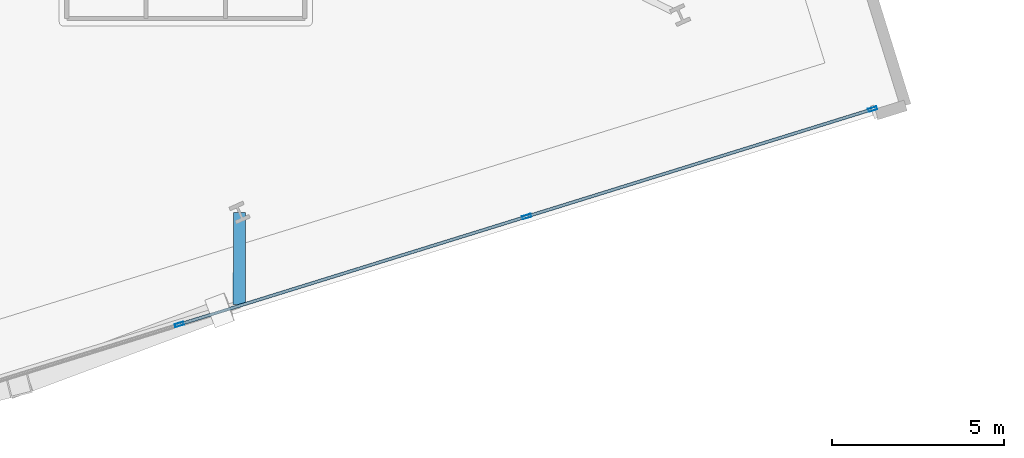
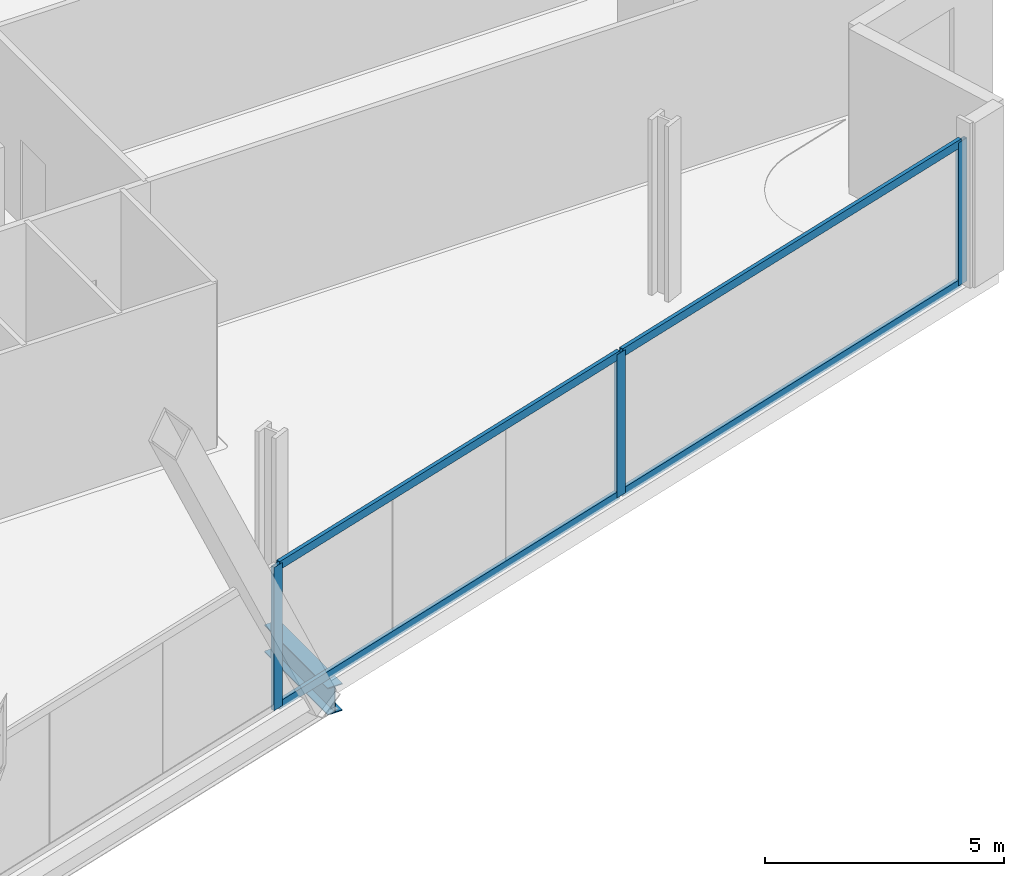
# One storey, part 6 of 26: 7 members, 1 beam, 1 element without a shape of its own.
"""IFC4 building model written with IfcOpenShell, lengths in metres."""

from ifc_helpers import new_model, si_unit, direction, frame, origin, origin_2d, place, context, subcontext, project, spatial, hollow_rectangle, i_section, extrude, material, material_profile, profile_set, type_object, element, aggregate, save


model = new_model("IFC4")

# Units and contexts
model_context = context("Model", 3, precision=1e-05, world=origin(), true_north=direction((0.0, 1.0)))
body_context = subcontext(model_context, "Body", "Model", "MODEL_VIEW")
ifc_project = project(units=[si_unit("LENGTHUNIT", "METRE"), si_unit("AREAUNIT", "SQUARE_METRE"), si_unit("VOLUMEUNIT", "CUBIC_METRE"), si_unit("PLANEANGLEUNIT", "RADIAN"), si_unit("MASSUNIT", "GRAM", prefix="KILO")], contexts=[model_context])

# Site, building, storey
site_placement = place(None, origin())
site = spatial("IfcSite", under=ifc_project, at=site_placement, CompositionType="ELEMENT")
building_placement = place(site_placement, origin())
building = spatial("IfcBuilding", under=site, at=building_placement, Name="Haldenkirk Collegiate Tower", CompositionType="ELEMENT")
storey_placement = place(building_placement, frame((0.0, 0.0, 85.949951171875)))
storey = spatial("IfcBuildingStorey", under=building, at=storey_placement, Name="L20", CompositionType="ELEMENT", Elevation=85.949951171875)

# Beam
ifc_material_1 = material(Name="Steel ASTM A992 Grade 50", Category="steel")
ifc_material_profile_1 = material_profile(ifc_material_1, i_section(OverallWidth=0.35498046875, OverallDepth=0.696044921875, WebThickness=0.015380859375, FlangeThickness=0.02490234375, at=origin_2d()), Name="W27X146")
ifc_profile_set_1 = profile_set([ifc_material_profile_1], Name="Steel ASTM A992 Grade 50")
beam_type = type_object("IfcBeamType", Name="BM-GIRDER-W27X146", PredefinedType="BEAM", material=ifc_profile_set_1)
beam_placement = place(storey_placement, frame((44.9599609375, 6.0166015625, -0.758056640625), z_axis=(-0.003394787301, -0.999994237693, 0.0), x_axis=(0.999994237693, -0.003394787301, 0.0)))
element("IfcBeam", 1, at=beam_placement, inside=storey, type_object=beam_type, Name="L20 facade lookout girder 06", PredefinedType="BEAM", context=body_context, shape_type="SweptSolid", body=[
    extrude(i_section(OverallWidth=0.35498046875, OverallDepth=0.696044921875, WebThickness=0.015380859375, FlangeThickness=0.02490234375, at=origin_2d()), origin(), (0.0, 0.0, 1.0), 2.660888671875),
])

# Curtain wall, members
ifc_material_2 = material(Name="Anodised architectural bronze aluminium", Category="aluminium")
curtain_wall_type = type_object("IfcCurtainWallType", Name="CW-SYS4-SKYGARDEN", PredefinedType="USERDEFINED", material=ifc_material_2)
curtain_wall_placement = place(storey_placement, origin())
curtain_wall = element("IfcCurtainWall", 2, at=curtain_wall_placement, inside=storey, type_object=curtain_wall_type, Name="L20 Sky-garden tall bronze curtain wall", ObjectType="UNITISED CURTAIN WALL", PredefinedType="USERDEFINED")
ifc_material_profile_2 = material_profile(ifc_material_2, hollow_rectangle(XDim=0.090087890625, YDim=0.260009765625, WallThickness=0.0048828125, at=origin_2d()), Name="CW-MUL-04")
ifc_profile_set_2 = profile_set([ifc_material_profile_2], Name="Anodised architectural bronze aluminium")
member_type_1 = type_object("IfcMemberType", Name="CW-MUL-04", PredefinedType="MULLION", material=ifc_profile_set_2)
member_1_placement = place(storey_placement, frame((63.31982421875, 9.017578125, 0.0), z_axis=(0.0, 0.0, 1.0), x_axis=(0.29654000631, -0.955020431539, 0.0)))
member_1 = element("IfcMember", 3, at=member_1_placement, type_object=member_type_1, Name="CW-04 mullion 1", PredefinedType="MULLION", context=body_context, shape_type="SweptSolid", body=[
    extrude(hollow_rectangle(XDim=0.090087890625, YDim=0.260009765625, WallThickness=0.0048828125, at=origin_2d()), origin(), (0.0, 0.0, 1.0), 3.651123046875),
])
member_2_placement = place(storey_placement, frame((53.287353515625, 5.90234375, 0.0), z_axis=(0.0, 0.0, 1.0), x_axis=(0.29654000631, -0.955020431539, 0.0)))
member_2 = element("IfcMember", 4, at=member_2_placement, type_object=member_type_1, Name="CW-04 mullion 2", PredefinedType="MULLION", context=body_context, shape_type="SweptSolid", body=[
    extrude(hollow_rectangle(XDim=0.090087890625, YDim=0.260009765625, WallThickness=0.0048828125, at=origin_2d()), origin(), (0.0, 0.0, 1.0), 3.651123046875),
])
member_3_placement = place(storey_placement, frame((43.2119140625, 2.77392578125, 0.0), z_axis=(0.0, 0.0, 1.0), x_axis=(0.29654000631, -0.955020431539, 0.0)))
member_3 = element("IfcMember", 5, at=member_3_placement, type_object=member_type_1, Name="CW-04 mullion 3", PredefinedType="MULLION", context=body_context, shape_type="SweptSolid", body=[
    extrude(hollow_rectangle(XDim=0.090087890625, YDim=0.260009765625, WallThickness=0.0048828125, at=origin_2d()), origin(), (0.0, 0.0, 1.0), 3.651123046875),
])
ifc_material_profile_3 = material_profile(ifc_material_2, hollow_rectangle(XDim=0.090087890625, YDim=0.2099609375, WallThickness=0.0048828125, at=origin_2d()), Name="CW-TRN-04")
ifc_profile_set_3 = profile_set([ifc_material_profile_3], Name="Anodised architectural bronze aluminium")
member_type_2 = type_object("IfcMemberType", Name="CW-TRN-04", PredefinedType="USERDEFINED", material=ifc_profile_set_3)
member_4_placement = place(storey_placement, frame((63.27685546875, 9.004150390625, 0.045166015625), z_axis=(-0.955022711103, -0.296532664772, 0.0), x_axis=(0.296532664772, -0.955022711103, 0.0)))
member_4 = element("IfcMember", 6, at=member_4_placement, type_object=member_type_2, Name="CW-04 transom 1.1", ObjectType="TRANSOM", PredefinedType="USERDEFINED", context=body_context, shape_type="SweptSolid", body=[
    extrude(hollow_rectangle(XDim=0.090087890625, YDim=0.2099609375, WallThickness=0.0048828125, at=origin_2d()), origin(), (0.0, 0.0, 1.0), 10.4150390625),
])
member_5_placement = place(storey_placement, frame((63.27685546875, 9.004150390625, 3.60595703125), z_axis=(-0.955022711103, -0.296532664772, 0.0), x_axis=(0.296532664772, -0.955022711103, 0.0)))
member_5 = element("IfcMember", 7, at=member_5_placement, type_object=member_type_2, Name="CW-04 transom 1.2", ObjectType="TRANSOM", PredefinedType="USERDEFINED", context=body_context, shape_type="SweptSolid", body=[
    extrude(hollow_rectangle(XDim=0.090087890625, YDim=0.2099609375, WallThickness=0.0048828125, at=origin_2d()), origin(), (0.0, 0.0, 1.0), 10.4150390625),
])
member_6_placement = place(storey_placement, frame((53.244384765625, 5.88916015625, 0.045166015625), z_axis=(-0.955020382089, -0.296540165566, 0.0), x_axis=(0.296540165566, -0.955020382089, 0.0)))
member_6 = element("IfcMember", 8, at=member_6_placement, type_object=member_type_2, Name="CW-04 transom 2.1", ObjectType="TRANSOM", PredefinedType="USERDEFINED", context=body_context, shape_type="SweptSolid", body=[
    extrude(hollow_rectangle(XDim=0.090087890625, YDim=0.2099609375, WallThickness=0.0048828125, at=origin_2d()), origin(), (0.0, 0.0, 1.0), 10.4599609375),
])
member_7_placement = place(storey_placement, frame((53.244384765625, 5.88916015625, 3.60595703125), z_axis=(-0.955020382089, -0.296540165566, 0.0), x_axis=(0.296540165566, -0.955020382089, 0.0)))
member_7 = element("IfcMember", 9, at=member_7_placement, type_object=member_type_2, Name="CW-04 transom 2.2", ObjectType="TRANSOM", PredefinedType="USERDEFINED", context=body_context, shape_type="SweptSolid", body=[
    extrude(hollow_rectangle(XDim=0.090087890625, YDim=0.2099609375, WallThickness=0.0048828125, at=origin_2d()), origin(), (0.0, 0.0, 1.0), 10.4599609375),
])
aggregate(curtain_wall, [member_1, member_2, member_3, member_4, member_5, member_6, member_7])

save(model, "model.ifc")
